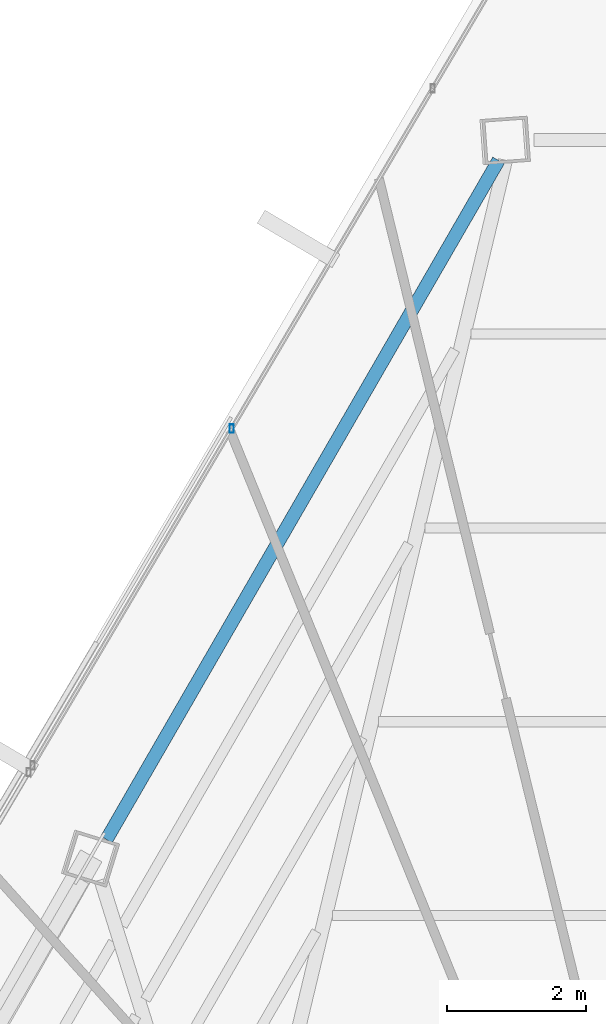
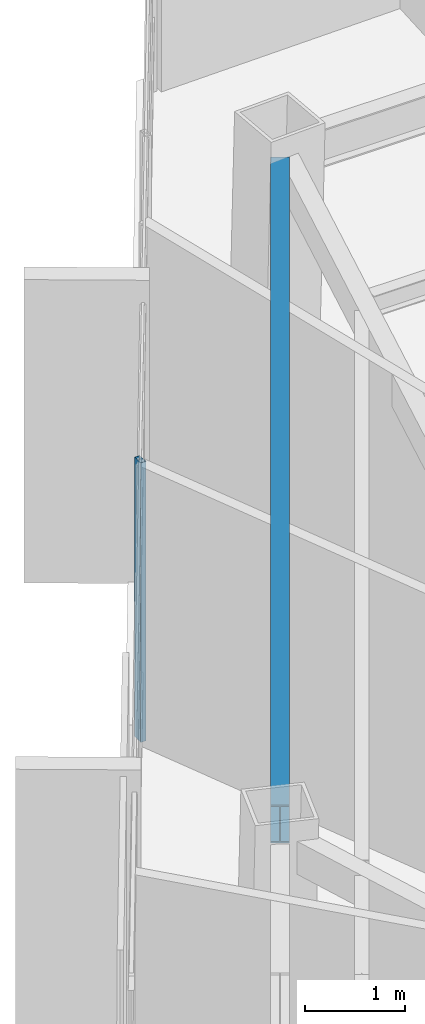
# One storey, part 32 of 45: 1 beam, 1 member, 1 element without a shape of its own.
"""IFC4 building model written with IfcOpenShell, lengths in metres."""

from ifc_helpers import new_model, si_unit, direction, frame, origin, origin_2d, place, context, subcontext, project, spatial, hollow_rectangle, i_section, extrude, source, transform, mapped, material, material_profile, profile_set, type_object, type_shapes, element, aggregate, save


model = new_model("IFC4")

# Units and contexts
model_context = context("Model", 3, precision=1e-05, world=origin(), true_north=direction((0.0, 1.0)))
body_context = subcontext(model_context, "Body", "Model", "MODEL_VIEW")
ifc_project = project(units=[si_unit("LENGTHUNIT", "METRE"), si_unit("AREAUNIT", "SQUARE_METRE"), si_unit("VOLUMEUNIT", "CUBIC_METRE"), si_unit("PLANEANGLEUNIT", "RADIAN"), si_unit("MASSUNIT", "GRAM", prefix="KILO")], contexts=[model_context])

# Site, building, storey
site_placement = place(None, origin())
site = spatial("IfcSite", under=ifc_project, at=site_placement, CompositionType="ELEMENT")
building_placement = place(site_placement, origin())
building = spatial("IfcBuilding", under=site, at=building_placement, Name="Caelisora Broadcast Tower", CompositionType="ELEMENT")
storey_placement = place(building_placement, frame((0.0, 0.0, 266.35009765625)))
storey = spatial("IfcBuildingStorey", under=building, at=storey_placement, Name="L70", CompositionType="ELEMENT", Elevation=266.35009765625)

# Beam
ifc_material_1 = material(Name="Steel Grade 350 (AS/NZS 3679.1)", Category="steel")
ifc_material_profile_1 = material_profile(ifc_material_1, i_section(OverallWidth=0.19091796875, OverallDepth=0.46044921875, WebThickness=0.010009765625, FlangeThickness=0.01611328125, at=origin_2d()), Name="Steel Grade 350 (AS/NZS 3679.1)")
ifc_profile_set_1 = profile_set([ifc_material_profile_1], Name="Steel Grade 350 (AS/NZS 3679.1)")
beam_type = type_object("IfcBeamType", Name="PG06", PredefinedType="BEAM", material=ifc_profile_set_1)
shared_shape_1 = source(origin(), body_context, "Body", "SweptSolid", [
    extrude(i_section(OverallWidth=0.19091796875, OverallDepth=0.46044921875, WebThickness=0.010009765625, FlangeThickness=0.01611328125, at=origin_2d()), origin(), (0.0, 0.0, 1.0), 11.25537109375),
])
type_shapes(beam_type, [shared_shape_1])
beam_placement = place(storey_placement, frame((34.309814453125, 46.406005859375, 3.169677734375), z_axis=(-0.49999533352, -0.866028097961, 0.0), x_axis=(0.866028097961, -0.49999533352, 0.0)))
element("IfcBeam", 1, at=beam_placement, inside=storey, type_object=beam_type, Name="L70 beam PG06", PredefinedType="BEAM", context=body_context, shape_type="MappedRepresentation", body=[
    mapped(shared_shape_1, transform((0.0, 0.0, 0.0), scale=1.0)),
])

# Curtain wall, member
ifc_material_2 = material(Name="Unitised Aluminium and Low-E Glass Curtain Wall", Category="glass")
curtain_wall_type = type_object("IfcCurtainWallType", Name="CW-Z5", PredefinedType="NOTDEFINED", material=ifc_material_2)
curtain_wall_placement = place(storey_placement, origin())
curtain_wall = element("IfcCurtainWall", 2, at=curtain_wall_placement, inside=storey, type_object=curtain_wall_type, Name="L70 curtain wall CW-Z5", PredefinedType="NOTDEFINED")
ifc_material_3 = material(Name="Aluminium 6063-T6 Anodised Terracotta Bronze", Category="aluminium")
ifc_material_profile_2 = material_profile(ifc_material_3, hollow_rectangle(XDim=0.06005859375, YDim=0.1201171875, WallThickness=0.0029296875, at=origin_2d()), Name="Aluminium 6063-T6 Anodised Terracotta Bronze")
ifc_profile_set_2 = profile_set([ifc_material_profile_2], Name="Aluminium 6063-T6 Anodised Terracotta Bronze")
member_type = type_object("IfcMemberType", Name="CWM-04", PredefinedType="MULLION", material=ifc_profile_set_2)
shared_shape_2 = source(origin(), body_context, "Body", "SweptSolid", [
    extrude(hollow_rectangle(XDim=0.06005859375, YDim=0.1201171875, WallThickness=0.0029296875, at=origin_2d()), origin(), (0.0, 0.0, 1.0), 3.39990234375),
])
type_shapes(member_type, [shared_shape_2])
member_placement = place(storey_placement, frame((30.48095703125, 42.557861328125, 0.0), z_axis=(0.0, 0.0, 1.0), x_axis=(1.0, 0.0, 0.0)))
member = element("IfcMember", 3, at=member_placement, type_object=member_type, Name="L70-CW-B11 mullion #1", PredefinedType="MULLION", context=body_context, shape_type="MappedRepresentation", body=[
    mapped(shared_shape_2, transform((0.0, 0.0, 0.0), scale=1.0)),
])
aggregate(curtain_wall, [member])

save(model, "model.ifc")
